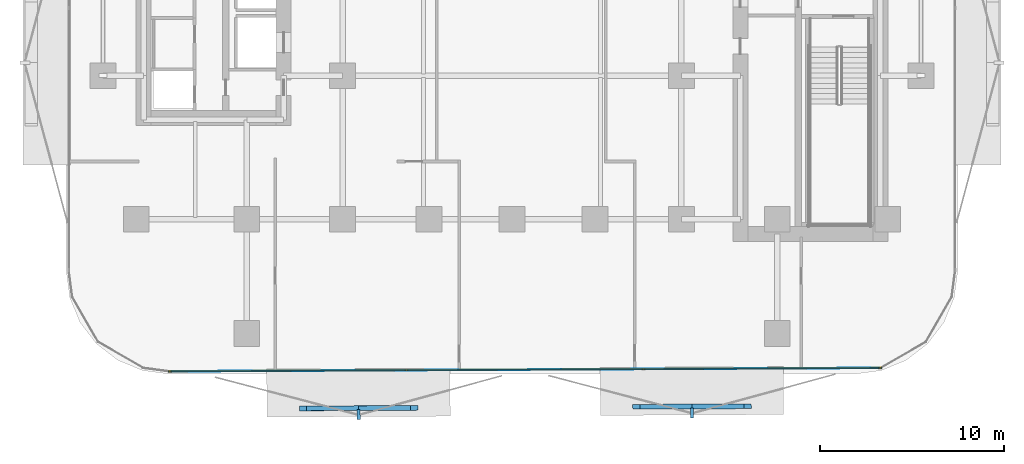
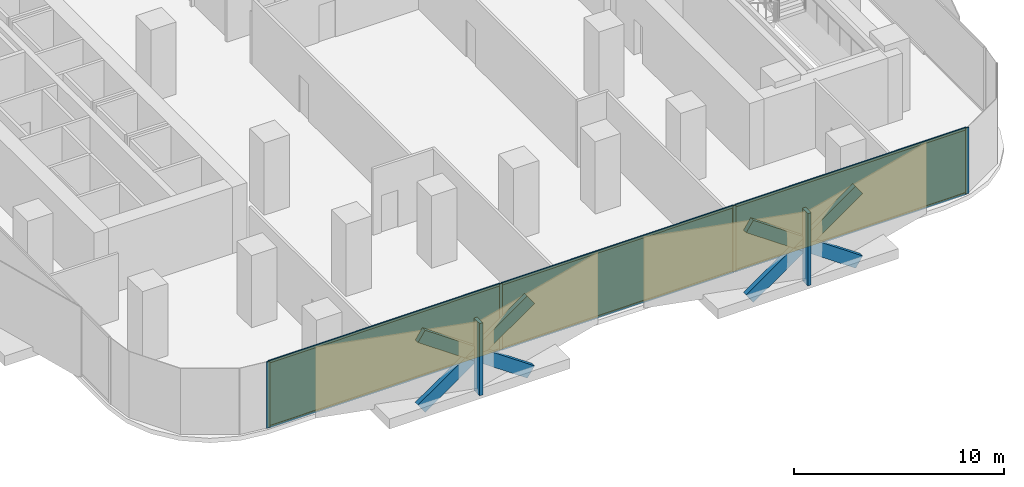
# One storey, part 8 of 16: 16 members, 3 plates, 1 curtain wall.
"""IFC4 building model written with IfcOpenShell, lengths in metres."""

from ifc_helpers import new_model, si_unit, direction, frame, frame_2d, origin, origin_2d, place, context, subcontext, project, spatial, rectangle, extrude, material, layer, layer_set, material_profile, profile_set, type_object, element, aggregate, save


model = new_model("IFC4")

# Units and contexts
model_context = context("Model", 3, precision=1e-05, world=origin(), true_north=direction((0.0, 1.0)))
body_context = subcontext(model_context, "Body", "Model", "MODEL_VIEW")
ifc_project = project(units=[si_unit("LENGTHUNIT", "METRE"), si_unit("AREAUNIT", "SQUARE_METRE"), si_unit("VOLUMEUNIT", "CUBIC_METRE"), si_unit("PLANEANGLEUNIT", "RADIAN"), si_unit("MASSUNIT", "GRAM", prefix="KILO")], contexts=[model_context])

# Member
ifc_material_1 = material(Name="Anodised Bronze Aluminium 6063-T6", Category="aluminium")
ifc_material_profile_1 = material_profile(ifc_material_1, rectangle(XDim=0.260009765625, YDim=0.699951171875, at=origin_2d()))
ifc_profile_set_1 = profile_set([ifc_material_profile_1], Name="Anodised Bronze Aluminium 6063-T6")
member_type_1 = type_object("IfcMemberType", Name="Bronze Diamond Solar-Screen Lattice Rib BDL-700", PredefinedType="MULLION", material=ifc_profile_set_1)
site_placement = place(None, origin())
building_placement = place(site_placement, origin())
storey_placement = place(building_placement, frame((0.0, 0.0, 80.60009765625)))
member_1_placement = place(storey_placement, frame((12.788818359375, -28.747802734375, -0.130126953125), z_axis=(-0.820743653079, -0.003984998518, 0.57128274586), x_axis=(-0.00764700594, 0.999962717129, -0.004010941449)))
member_1 = element("IfcMember", 1, at=member_1_placement, type_object=member_type_1, Name="L19 Bronze Diamond Solar Screen Lattice Rib 105A", PredefinedType="MULLION", context=body_context, shape_type="SweptSolid", body=[
    extrude(rectangle(XDim=0.260009765625, YDim=0.699951171875, at=origin_2d()), origin(), (0.0, 0.0, 1.0), 7.351806640625),
])

member_2_placement = place(storey_placement, frame((6.7548828125, -28.777099609375, -0.130126953125), z_axis=(0.820743653079, 0.003984998518, 0.57128274586), x_axis=(0.00764700594, -0.999962717129, -0.004010941449)))
member_2 = element("IfcMember", 2, at=member_2_placement, type_object=member_type_1, Name="L19 Bronze Diamond Solar Screen Lattice Rib 105B", PredefinedType="MULLION", context=body_context, shape_type="SweptSolid", body=[
    extrude(rectangle(XDim=0.260009765625, YDim=0.699951171875, at=origin_2d()), origin(), (0.0, 0.0, 1.0), 7.351806640625),
])

member_3_placement = place(storey_placement, frame((-5.31298828125, -28.835693359375, -0.130126953125), z_axis=(-0.820743653079, -0.003984998518, 0.57128274586), x_axis=(-0.00764700594, 0.999962717129, -0.004010941449)))
member_3 = element("IfcMember", 3, at=member_3_placement, type_object=member_type_1, Name="L19 Bronze Diamond Solar Screen Lattice Rib 106A", PredefinedType="MULLION", context=body_context, shape_type="SweptSolid", body=[
    extrude(rectangle(XDim=0.260009765625, YDim=0.699951171875, at=origin_2d()), origin(), (0.0, 0.0, 1.0), 7.351806640625),
])

member_4_placement = place(storey_placement, frame((-11.346923828125, -28.864990234375, -0.130126953125), z_axis=(0.820743653079, 0.003984998518, 0.57128274586), x_axis=(0.00764700594, -0.999962717129, -0.004010941449)))
member_4 = element("IfcMember", 4, at=member_4_placement, type_object=member_type_1, Name="L19 Bronze Diamond Solar Screen Lattice Rib 106B", PredefinedType="MULLION", context=body_context, shape_type="SweptSolid", body=[
    extrude(rectangle(XDim=0.260009765625, YDim=0.699951171875, at=origin_2d()), origin(), (0.0, 0.0, 1.0), 7.351806640625),
])

ifc_material_2 = material(Name="Anodised Bronze Aluminium 6063-T6", Category="aluminium")
ifc_material_profile_2 = material_profile(ifc_material_2, rectangle(XDim=0.179931640625, YDim=0.5400390625, at=origin_2d()))
ifc_profile_set_2 = profile_set([ifc_material_profile_2], Name="Anodised Bronze Aluminium 6063-T6")
member_type_2 = type_object("IfcMemberType", Name="Bronze Solar-Screen Vertical Fold Fin BSF-540", PredefinedType="MULLION", material=ifc_profile_set_2)
member_5_placement = place(storey_placement, frame((9.7734375, -29.1025390625, -0.130126953125), z_axis=(0.0, 0.0, 1.0), x_axis=(-0.999988059021, -0.004886902454, 0.0)))
member_5 = element("IfcMember", 5, at=member_5_placement, type_object=member_type_2, Name="L19 Bronze Solar Screen Vertical Fin 105", PredefinedType="MULLION", context=body_context, shape_type="SweptSolid", body=[
    extrude(rectangle(XDim=0.179931640625, YDim=0.5400390625, at=origin_2d()), origin(), (0.0, 0.0, 1.0), 4.199951171875),
])

member_6_placement = place(storey_placement, frame((-8.328369140625, -29.190185546875, -0.130126953125), z_axis=(0.0, 0.0, 1.0), x_axis=(-0.999988059021, -0.004886902454, 0.0)))
member_6 = element("IfcMember", 6, at=member_6_placement, type_object=member_type_2, Name="L19 Bronze Solar Screen Vertical Fin 106", PredefinedType="MULLION", context=body_context, shape_type="SweptSolid", body=[
    extrude(rectangle(XDim=0.179931640625, YDim=0.5400390625, at=origin_2d()), origin(), (0.0, 0.0, 1.0), 4.199951171875),
])

ifc_material_3 = material(Name="Anodised Bronze Aluminium 6063-T6", Category="aluminium")
ifc_material_profile_3 = material_profile(ifc_material_3, rectangle(XDim=0.06494140625, YDim=0.179931640625, at=origin_2d()))
ifc_profile_set_3 = profile_set([ifc_material_profile_3], Name="Anodised Bronze Aluminium 6063-T6")
member_type_3 = type_object("IfcMemberType", Name="CW-Z1 Mullion 65x180", PredefinedType="MULLION", material=ifc_profile_set_3)
member_7_placement = place(storey_placement, frame((19.98046875, -26.6728515625, 0.0), z_axis=(0.0, 0.0, 1.0), x_axis=(0.004849219095, -0.999988242468, 0.0)))
member_7 = element("IfcMember", 7, at=member_7_placement, type_object=member_type_3, Name="CW-Z1 mullion 1", PredefinedType="MULLION", context=body_context, shape_type="SweptSolid", body=[
    extrude(rectangle(XDim=0.06494140625, YDim=0.179931640625, at=origin_2d()), origin(), (0.0, 0.0, 1.0), 3.849853515625),
])

member_8_placement = place(storey_placement, frame((7.14501953125, -26.735107421875, 0.0), z_axis=(0.0, 0.0, 1.0), x_axis=(0.004849219095, -0.999988242468, 0.0)))
member_8 = element("IfcMember", 8, at=member_8_placement, type_object=member_type_3, Name="CW-Z1 mullion 2", PredefinedType="MULLION", context=body_context, shape_type="SweptSolid", body=[
    extrude(rectangle(XDim=0.06494140625, YDim=0.179931640625, at=origin_2d()), origin(), (0.0, 0.0, 1.0), 3.849853515625),
])

member_9_placement = place(storey_placement, frame((-5.722900390625, -26.797607421875, 0.0), z_axis=(0.0, 0.0, 1.0), x_axis=(0.004849219095, -0.999988242468, 0.0)))
member_9 = element("IfcMember", 9, at=member_9_placement, type_object=member_type_3, Name="CW-Z1 mullion 3", PredefinedType="MULLION", context=body_context, shape_type="SweptSolid", body=[
    extrude(rectangle(XDim=0.06494140625, YDim=0.179931640625, at=origin_2d()), origin(), (0.0, 0.0, 1.0), 3.849853515625),
])

member_10_placement = place(storey_placement, frame((-18.558349609375, -26.85986328125, 0.0), z_axis=(0.0, 0.0, 1.0), x_axis=(0.004849219095, -0.999988242468, 0.0)))
member_10 = element("IfcMember", 10, at=member_10_placement, type_object=member_type_3, Name="CW-Z1 mullion 4", PredefinedType="MULLION", context=body_context, shape_type="SweptSolid", body=[
    extrude(rectangle(XDim=0.06494140625, YDim=0.179931640625, at=origin_2d()), origin(), (0.0, 0.0, 1.0), 3.849853515625),
])

ifc_material_4 = material(Name="Anodised Bronze Aluminium 6063-T6", Category="aluminium")
ifc_material_profile_4 = material_profile(ifc_material_4, rectangle(XDim=0.06494140625, YDim=0.139892578125, at=origin_2d()))
ifc_profile_set_4 = profile_set([ifc_material_profile_4], Name="Anodised Bronze Aluminium 6063-T6")
member_type_4 = type_object("IfcMemberType", Name="CW-Z1 Transom 65x140", PredefinedType="USERDEFINED", material=ifc_profile_set_4)
member_11_placement = place(storey_placement, frame((19.947998046875, -26.673095703125, 0.032470703125), z_axis=(-0.99998821055, -0.004855796541, 0.0), x_axis=(0.004855796541, -0.99998821055, 0.0)))
member_11 = element("IfcMember", 11, at=member_11_placement, type_object=member_type_4, Name="CW-Z1 transom 1.1", ObjectType="TRANSOM", PredefinedType="USERDEFINED", context=body_context, shape_type="SweptSolid", body=[
    extrude(rectangle(XDim=0.06494140625, YDim=0.139892578125, at=origin_2d()), origin(), (0.0, 0.0, 1.0), 12.770751953125),
])

member_12_placement = place(storey_placement, frame((19.947998046875, -26.673095703125, 3.8173828125), z_axis=(-0.99998821055, -0.004855796541, 0.0), x_axis=(0.004855796541, -0.99998821055, 0.0)))
member_12 = element("IfcMember", 12, at=member_12_placement, type_object=member_type_4, Name="CW-Z1 transom 1.2", ObjectType="TRANSOM", PredefinedType="USERDEFINED", context=body_context, shape_type="SweptSolid", body=[
    extrude(rectangle(XDim=0.06494140625, YDim=0.139892578125, at=origin_2d()), origin(), (0.0, 0.0, 1.0), 12.770751953125),
])

member_13_placement = place(storey_placement, frame((7.112548828125, -26.7353515625, 0.032470703125), z_axis=(-0.999988270274, -0.004843481639, 0.0), x_axis=(0.004843481639, -0.999988270274, 0.0)))
member_13 = element("IfcMember", 13, at=member_13_placement, type_object=member_type_4, Name="CW-Z1 transom 2.1", ObjectType="TRANSOM", PredefinedType="USERDEFINED", context=body_context, shape_type="SweptSolid", body=[
    extrude(rectangle(XDim=0.06494140625, YDim=0.139892578125, at=origin_2d()), origin(), (0.0, 0.0, 1.0), 12.80322265625),
])

member_14_placement = place(storey_placement, frame((7.112548828125, -26.7353515625, 3.8173828125), z_axis=(-0.999988270274, -0.004843481639, 0.0), x_axis=(0.004843481639, -0.999988270274, 0.0)))
member_14 = element("IfcMember", 14, at=member_14_placement, type_object=member_type_4, Name="CW-Z1 transom 2.2", ObjectType="TRANSOM", PredefinedType="USERDEFINED", context=body_context, shape_type="SweptSolid", body=[
    extrude(rectangle(XDim=0.06494140625, YDim=0.139892578125, at=origin_2d()), origin(), (0.0, 0.0, 1.0), 12.80322265625),
])

member_15_placement = place(storey_placement, frame((-5.75537109375, -26.7978515625, 0.032470703125), z_axis=(-0.999988303196, -0.00483667968, 0.0), x_axis=(0.00483667968, -0.999988303196, 0.0)))
member_15 = element("IfcMember", 15, at=member_15_placement, type_object=member_type_4, Name="CW-Z1 transom 3.1", ObjectType="TRANSOM", PredefinedType="USERDEFINED", context=body_context, shape_type="SweptSolid", body=[
    extrude(rectangle(XDim=0.06494140625, YDim=0.139892578125, at=origin_2d()), origin(), (0.0, 0.0, 1.0), 12.770751953125),
])

member_16_placement = place(storey_placement, frame((-5.75537109375, -26.7978515625, 3.8173828125), z_axis=(-0.999988303196, -0.00483667968, 0.0), x_axis=(0.00483667968, -0.999988303196, 0.0)))
member_16 = element("IfcMember", 16, at=member_16_placement, type_object=member_type_4, Name="CW-Z1 transom 3.2", ObjectType="TRANSOM", PredefinedType="USERDEFINED", context=body_context, shape_type="SweptSolid", body=[
    extrude(rectangle(XDim=0.06494140625, YDim=0.139892578125, at=origin_2d()), origin(), (0.0, 0.0, 1.0), 12.770751953125),
])

# Plate
ifc_material_5 = material(Name="Low-E Solar Control Laminated Glass", Category="glass")
ifc_layer_1 = layer(ifc_material_5, 0.028076171875, Name="Low-E Solar Control Laminated Glass")
ifc_layer_set_1 = layer_set([ifc_layer_1], Name="Low-E Solar Control Laminated Glass")
plate_type = type_object("IfcPlateType", Name="CW-Z1 Low-E Double Glazed Panel 28mm", PredefinedType="CURTAIN_PANEL", material=ifc_layer_set_1)
plate_1_placement = place(storey_placement, frame((13.562744140625, -26.7041015625, 0.06494140625), z_axis=(0.0, 0.0, 1.0), x_axis=(-0.999988242468, -0.004849219095, 0.0)))
plate_1 = element("IfcPlate", 17, at=plate_1_placement, type_object=plate_type, Name="CW-Z1 panel 1.1", PredefinedType="CURTAIN_PANEL", context=body_context, shape_type="SweptSolid", body=[
    extrude(rectangle(XDim=12.7705078125, YDim=0.028076171875, at=origin_2d()), origin(), (0.0, 0.0, 1.0), 3.719970703125),
])

plate_2_placement = place(storey_placement, frame((0.7109375, -26.766357421875, 0.06494140625), z_axis=(0.0, 0.0, 1.0), x_axis=(-0.999988242468, -0.004849219095, 0.0)))
plate_2 = element("IfcPlate", 18, at=plate_2_placement, type_object=plate_type, Name="CW-Z1 panel 2.1", PredefinedType="CURTAIN_PANEL", context=body_context, shape_type="SweptSolid", body=[
    extrude(rectangle(XDim=12.802978515625, YDim=0.028076171875, at=origin_2d()), origin(), (0.0, 0.0, 1.0), 3.719970703125),
])

plate_3_placement = place(storey_placement, frame((-12.140625, -26.82861328125, 0.06494140625), z_axis=(0.0, 0.0, 1.0), x_axis=(-0.999988242468, -0.004849219095, 0.0)))
plate_3 = element("IfcPlate", 19, at=plate_3_placement, type_object=plate_type, Name="CW-Z1 panel 3.1", PredefinedType="CURTAIN_PANEL", context=body_context, shape_type="SweptSolid", body=[
    extrude(rectangle(XDim=12.7705078125, YDim=0.028076171875, at=origin_2d()), origin(), (0.0, 0.0, 1.0), 3.719970703125),
])

# Site, building, storey
site = spatial("IfcSite", under=ifc_project, at=site_placement, CompositionType="ELEMENT")
building = spatial("IfcBuilding", under=site, at=building_placement, Name="Khairoan Windgate Tower", CompositionType="ELEMENT")
storey = spatial("IfcBuildingStorey", under=building, at=storey_placement, Name="L19", CompositionType="ELEMENT", Elevation=80.60009765625)

# Curtain wall
ifc_material_6 = material(Name="Anodised Bronze Aluminium 6063-T6", Category="aluminium")
ifc_layer_2 = layer(ifc_material_6, 0.179931640625, Name="Anodised Bronze Aluminium 6063-T6")
ifc_layer_set_2 = layer_set([ifc_layer_2], Name="Anodised Bronze Aluminium 6063-T6")
curtain_wall_type = type_object("IfcCurtainWallType", Name="Low-Rise Office Unitised Curtain Wall CW-Z1", PredefinedType="NOTDEFINED", material=ifc_layer_set_2)
curtain_wall_placement = place(storey_placement, frame((20.012939453125, -26.6728515625, 0.0), z_axis=(0.0, 0.0, 1.0), x_axis=(-0.999988235487, -0.004850658525, 0.0)))
curtain_wall = element("IfcCurtainWall", 20, at=curtain_wall_placement, inside=storey, type_object=curtain_wall_type, Name="L19 Unitised Curtain Wall 1", PredefinedType="NOTDEFINED", context=body_context, shape_type="SweptSolid", body=[
    extrude(rectangle(XDim=38.604248046875, YDim=0.010009765625, at=frame_2d((19.30224609375, 0.0))), origin(), (0.0, 0.0, 1.0), 3.849853515625),
])

aggregate(curtain_wall, [member_7, member_8, member_9, member_10, member_11, member_12, plate_1, member_13, member_14, plate_2, member_15, member_16, plate_3, member_1, member_2, member_5, member_3, member_4, member_6])

save(model, "model.ifc")
